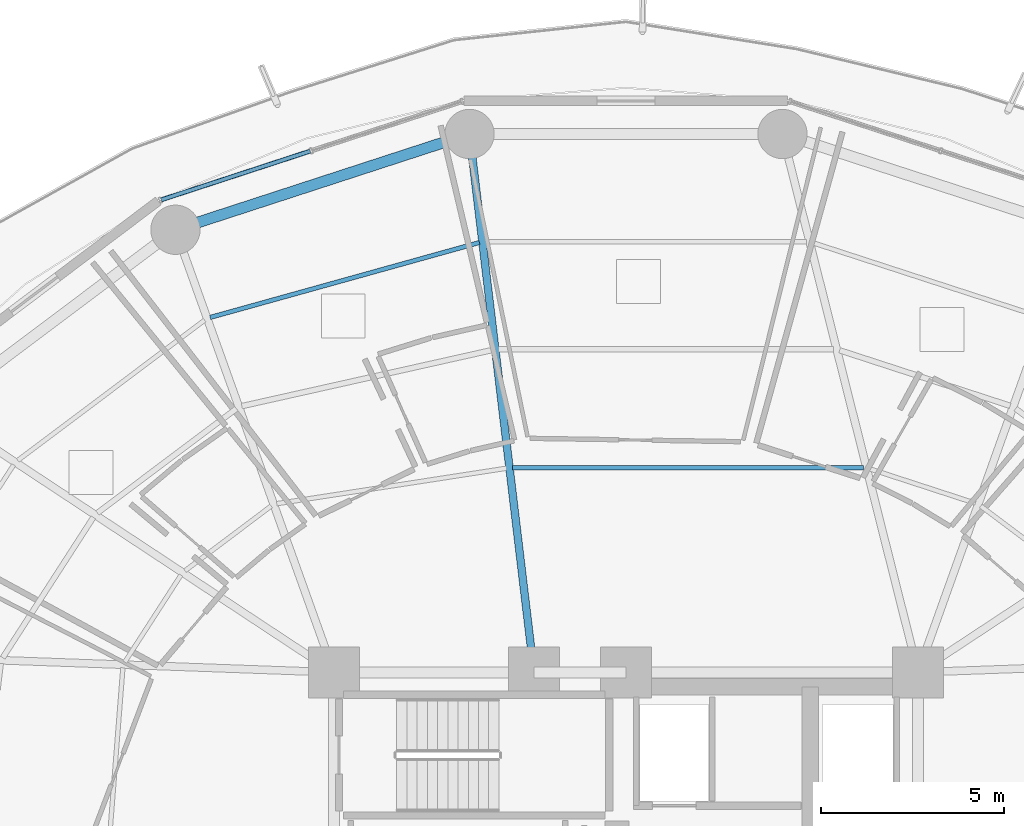
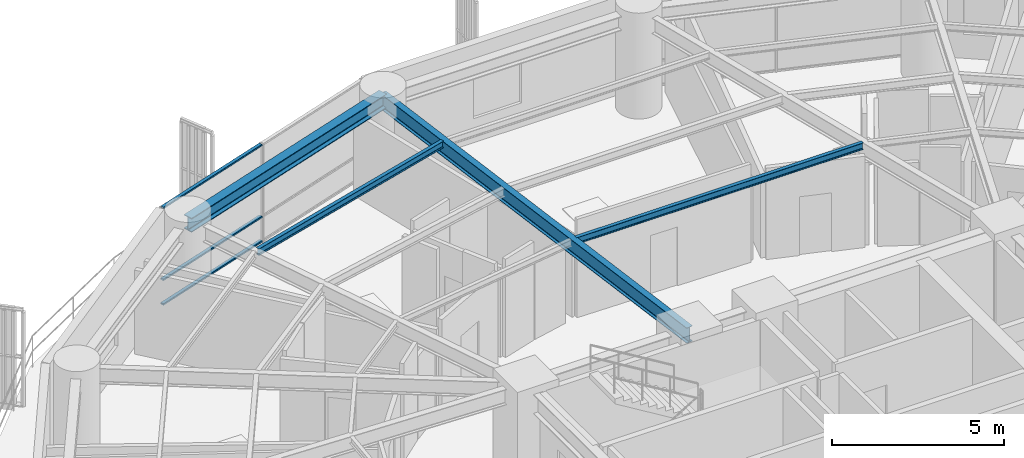
# One storey, part 20 of 36: 4 beams, 3 members, 1 element without a shape of its own.
"""IFC4 building model written with IfcOpenShell, lengths in metres."""

from ifc_helpers import new_model, si_unit, direction, frame, origin, origin_2d, place, context, subcontext, project, spatial, hollow_rectangle, i_section, extrude, material, layer, layer_set, material_profile, profile_set, type_object, element, aggregate, save


model = new_model("IFC4")

# Units and contexts
model_context = context("Model", 3, precision=1e-05, world=origin(), true_north=direction((0.0, 1.0)))
body_context = subcontext(model_context, "Body", "Model", "MODEL_VIEW")
ifc_project = project(units=[si_unit("LENGTHUNIT", "METRE"), si_unit("AREAUNIT", "SQUARE_METRE"), si_unit("VOLUMEUNIT", "CUBIC_METRE"), si_unit("PLANEANGLEUNIT", "RADIAN"), si_unit("MASSUNIT", "GRAM", prefix="KILO")], contexts=[model_context])

# Site, building, storey
site_placement = place(None, origin())
site = spatial("IfcSite", under=ifc_project, at=site_placement, CompositionType="ELEMENT")
building_placement = place(site_placement, origin())
building = spatial("IfcBuilding", under=site, at=building_placement, Name="Kelanora Arch Commons", CompositionType="ELEMENT")
storey_placement = place(building_placement, frame((0.0, 0.0, 98.85009765625)))
storey = spatial("IfcBuildingStorey", under=building, at=storey_placement, Name="L25", CompositionType="ELEMENT", Elevation=98.85009765625)

# Beams
ifc_material_1 = material(Name="Steel S355", Category="steel")
ifc_material_profile_1 = material_profile(ifc_material_1, i_section(OverallWidth=0.1201171875, OverallDepth=0.239990234375, WebThickness=0.006103515625, FlangeThickness=0.009765625, FilletRadius=0.014892578125, at=origin_2d()), Name="IPE240")
ifc_profile_set_1 = profile_set([ifc_material_profile_1], Name="Steel S355")
beam_type_1 = type_object("IfcBeamType", Name="BM-JST-02", PredefinedType="JOIST", material=ifc_profile_set_1)
beam_1_placement = place(storey_placement, frame((80.50341796875, 70.602783203125, 3.369873046875), z_axis=(-1.0, 0.0, 0.0), x_axis=(0.0, -1.0, 0.0)))
element("IfcBeam", 1, at=beam_1_placement, inside=storey, type_object=beam_type_1, Name="Secondary Chord Joist BJA-08 L25", PredefinedType="JOIST", context=body_context, shape_type="SweptSolid", body=[
    extrude(i_section(OverallWidth=0.1201171875, OverallDepth=0.239990234375, WebThickness=0.006103515625, FlangeThickness=0.009765625, FilletRadius=0.014892578125, at=origin_2d()), origin(), (0.0, 0.0, 1.0), 9.609375),
])
beam_2_placement = place(storey_placement, frame((69.985595703125, 76.77294921875, 3.369873046875), z_axis=(-0.963385760896, -0.268119144603, 0.0), x_axis=(0.268119144603, -0.963385760896, 0.0)))
element("IfcBeam", 2, at=beam_2_placement, inside=storey, type_object=beam_type_1, Name="Secondary Chord Joist BJC-10 L25", PredefinedType="JOIST", context=body_context, shape_type="SweptSolid", body=[
    extrude(i_section(OverallWidth=0.1201171875, OverallDepth=0.239990234375, WebThickness=0.006103515625, FlangeThickness=0.009765625, FilletRadius=0.014892578125, at=origin_2d()), origin(), (0.0, 0.0, 1.0), 7.656005859375),
])
ifc_material_profile_2 = material_profile(ifc_material_1, i_section(OverallWidth=0.2099609375, OverallDepth=0.550048828125, WebThickness=0.010986328125, FlangeThickness=0.01708984375, FilletRadius=0.02392578125, at=origin_2d()), Name="IPE550")
ifc_profile_set_2 = profile_set([ifc_material_profile_2], Name="Steel S355")
beam_type_2 = type_object("IfcBeamType", Name="BM-RAD-Z2", PredefinedType="BEAM", material=ifc_profile_set_2)
beam_3_placement = place(storey_placement, frame((71.47998046875, 65.0, 3.21484375), z_axis=(-0.118897572414, 0.992906524943, 0.0), x_axis=(-0.992906524943, -0.118897572414, 0.0)))
element("IfcBeam", 3, at=beam_3_placement, inside=storey, type_object=beam_type_2, Name="Radial Floor Girder BR-10 L25", PredefinedType="BEAM", context=body_context, shape_type="SweptSolid", body=[
    extrude(i_section(OverallWidth=0.2099609375, OverallDepth=0.550048828125, WebThickness=0.010986328125, FlangeThickness=0.01708984375, FilletRadius=0.02392578125, at=origin_2d()), origin(), (0.0, 0.0, 1.0), 14.849853515625),
])
ifc_material_profile_3 = material_profile(ifc_material_1, i_section(OverallWidth=0.300048828125, OverallDepth=0.5, WebThickness=0.014404296875, FlangeThickness=0.028076171875, FilletRadius=0.027099609375, at=origin_2d()), Name="HEB500")
ifc_profile_set_3 = profile_set([ifc_material_profile_3], Name="Steel S355")
beam_type_3 = type_object("IfcBeamType", Name="BM-SPN-Z2", PredefinedType="SPANDREL", material=ifc_profile_set_3)
beam_4_placement = place(storey_placement, frame((69.71435546875, 79.74462890625, 3.239990234375), z_axis=(-0.950856631974, -0.309631499418, 0.0), x_axis=(0.309631499418, -0.950856631974, 0.0)))
element("IfcBeam", 4, at=beam_4_placement, inside=storey, type_object=beam_type_3, Name="Perimeter Spandrel Beam BS-10 L25", PredefinedType="SPANDREL", context=body_context, shape_type="SweptSolid", body=[
    extrude(i_section(OverallWidth=0.300048828125, OverallDepth=0.5, WebThickness=0.014404296875, FlangeThickness=0.028076171875, FilletRadius=0.027099609375, at=origin_2d()), origin(), (0.0, 0.0, 1.0), 8.470703125),
])

# Curtain wall, members
ifc_material_2 = material(Name="Terracotta ceramic-fritted low-E glass and aluminium", Category="masonry")
ifc_layer = layer(ifc_material_2, 0.159912109375)
ifc_layer_set = layer_set([ifc_layer], Name="Terracotta ceramic-fritted low-E glass and aluminium")
curtain_wall_type = type_object("IfcCurtainWallType", Name="CW-SYS-01", PredefinedType="NOTDEFINED", material=ifc_layer_set)
curtain_wall_placement = place(storey_placement, origin())
curtain_wall = element("IfcCurtainWall", 5, at=curtain_wall_placement, inside=storey, type_object=curtain_wall_type, Name="Unitised Curtain Wall L25-B05", PredefinedType="NOTDEFINED")
ifc_material_3 = material(Name="Powder-coated aluminium terracotta", Category="masonry")
ifc_material_profile_4 = material_profile(ifc_material_3, hollow_rectangle(XDim=0.1201171875, YDim=0.06005859375, WallThickness=0.0048828125, InnerFilletRadius=0.0048828125, OuterFilletRadius=0.010009765625, at=origin_2d()), Name="CWT120x60")
ifc_profile_set_4 = profile_set([ifc_material_profile_4], Name="Powder-coated aluminium terracotta")
member_type = type_object("IfcMemberType", Name="CWT-STD", PredefinedType="USERDEFINED", material=ifc_profile_set_4)
member_1_placement = place(storey_placement, frame((65.348876953125, 79.275390625, 0.02978515625), z_axis=(-0.950466230394, -0.310827838008, 0.0), x_axis=(0.310827838008, -0.950466230394, 0.0)))
member_1 = element("IfcMember", 6, at=member_1_placement, type_object=member_type, Name="CW-01 transom 2.1", ObjectType="TRANSOM", PredefinedType="USERDEFINED", context=body_context, shape_type="SweptSolid", body=[
    extrude(hollow_rectangle(XDim=0.1201171875, YDim=0.06005859375, WallThickness=0.0048828125, InnerFilletRadius=0.0048828125, OuterFilletRadius=0.010009765625, at=origin_2d()), origin(), (0.0, 0.0, 1.0), 4.2900390625),
])
member_2_placement = place(storey_placement, frame((65.348876953125, 79.275390625, 0.89990234375), z_axis=(-0.950466230394, -0.310827838008, 0.0), x_axis=(0.310827838008, -0.950466230394, 0.0)))
member_2 = element("IfcMember", 7, at=member_2_placement, type_object=member_type, Name="CW-01 transom 2.2", ObjectType="TRANSOM", PredefinedType="USERDEFINED", context=body_context, shape_type="SweptSolid", body=[
    extrude(hollow_rectangle(XDim=0.1201171875, YDim=0.06005859375, WallThickness=0.0048828125, InnerFilletRadius=0.0048828125, OuterFilletRadius=0.010009765625, at=origin_2d()), origin(), (0.0, 0.0, 1.0), 4.2900390625),
])
member_3_placement = place(storey_placement, frame((65.348876953125, 79.275390625, 3.44482421875), z_axis=(-0.950466230394, -0.310827838008, 0.0), x_axis=(0.310827838008, -0.950466230394, 0.0)))
member_3 = element("IfcMember", 8, at=member_3_placement, type_object=member_type, Name="CW-01 transom 2.3", ObjectType="TRANSOM", PredefinedType="USERDEFINED", context=body_context, shape_type="SweptSolid", body=[
    extrude(hollow_rectangle(XDim=0.1201171875, YDim=0.06005859375, WallThickness=0.0048828125, InnerFilletRadius=0.0048828125, OuterFilletRadius=0.010009765625, at=origin_2d()), origin(), (0.0, 0.0, 1.0), 4.2900390625),
])
aggregate(curtain_wall, [member_1, member_2, member_3])

save(model, "model.ifc")
